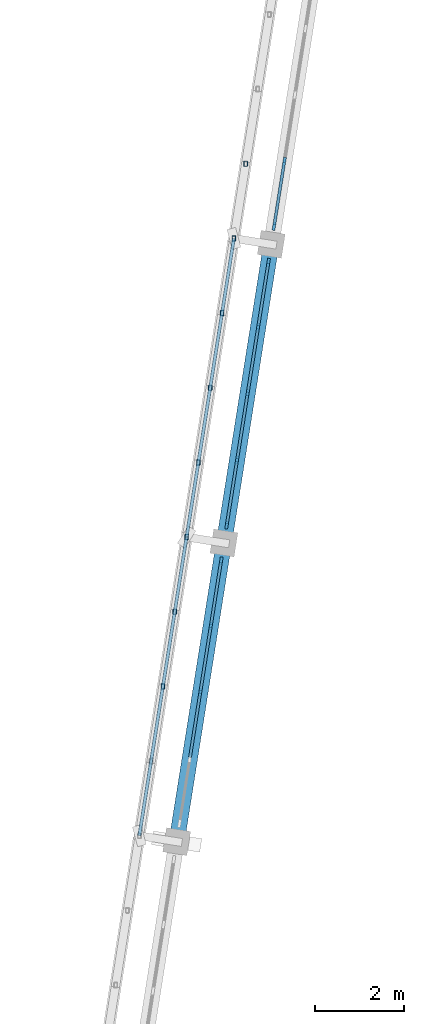
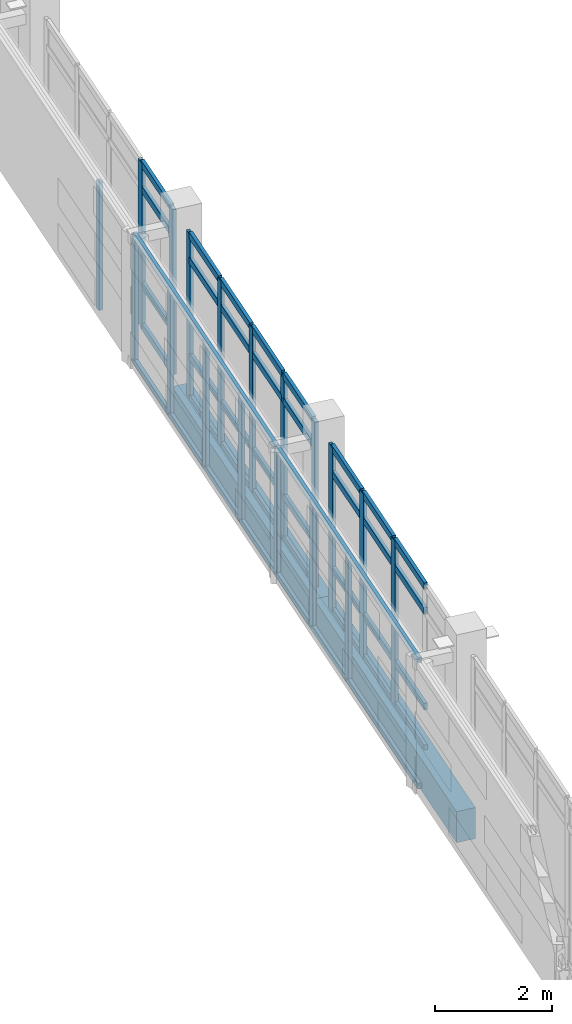
# One storey, part 36 of 117: 54 members, 2 beams, 3 elements without a shape of their own.
"""IFC4 building model written with IfcOpenShell, lengths in metres."""

import ifcopenshell
import ifcopenshell.guid

model = None  # the IFC model being written
_history = None  # IfcOwnerHistory: only IFC2X3 demands one
_inside = {}  # id of a spatial element -> (the spatial element, [elements in it])
_under = {}  # id of a project, library or spatial element -> (it, [spatial elements below it])
_declared = {}  # id of a project -> (the project, [libraries it declares])
_typed = {}  # id of a type object -> (the type object, [elements of that type])
_made_of = {}  # id of a material, layer set ... -> (it, [elements and type objects made of it])


def new_model(schema):
    """Start an empty IFC model of exactly this schema.

    Asked for "IFC4X3", IfcOpenShell would pick the latest addendum, in which some entities
    have other attributes; the version numbers below select the first issue.
    IFC2X3 requires an IfcOwnerHistory on every rooted entity: one is made here for all.
    """
    global model, _history
    if schema == "IFC4X3":
        model = ifcopenshell.file(schema_version=(4, 3, 0, 0))
    else:
        model = ifcopenshell.file(schema=schema)
    _inside.clear()
    _under.clear()
    _declared.clear()
    _typed.clear()
    _made_of.clear()
    _history = None
    if model.schema == "IFC2X3":
        org = make("IfcOrganization", Name="unknown")
        user = make(
            "IfcPersonAndOrganization",
            ThePerson=make("IfcPerson", FamilyName="unknown"),
            TheOrganization=org,
        )
        app = make(
            "IfcApplication",
            ApplicationDeveloper=org,
            Version="unknown",
            ApplicationFullName="unknown",
            ApplicationIdentifier="unknown",
        )
        _history = make(
            "IfcOwnerHistory",
            OwningUser=user,
            OwningApplication=app,
            ChangeAction="ADDED",
            CreationDate=0,
        )
    return model


def make(cls, **values):
    """One entity of the class cls with the attributes given. An attribute that is None is left unset."""
    return model.create_entity(
        cls, **{name: value for name, value in values.items() if value is not None}
    )


def rooted(cls, **values):
    """An entity with a GlobalId (a new one), such as an element, a storey or a relation."""
    return make(cls, GlobalId=ifcopenshell.guid.new(), OwnerHistory=_history, **values)


def si_unit(unit_type, name, prefix=None):
    """IfcSIUnit, for example si_unit("LENGTHUNIT", "METRE", prefix="MILLI")."""
    return make("IfcSIUnit", UnitType=unit_type, Prefix=prefix, Name=name)


def assignment(units):
    """IfcUnitAssignment: the units of a project."""
    return None if units is None else make("IfcUnitAssignment", Units=units)


def point(xyz):
    """IfcCartesianPoint."""
    return None if xyz is None else make("IfcCartesianPoint", Coordinates=xyz)


def direction(xyz):
    """IfcDirection."""
    return None if xyz is None else make("IfcDirection", DirectionRatios=xyz)


def frame(location, z_axis=None, x_axis=None):
    """IfcAxis2Placement3D, a coordinate frame: its origin and axes. An axis left out is left unset."""
    return make(
        "IfcAxis2Placement3D",
        Location=point(location),
        Axis=direction(z_axis),
        RefDirection=direction(x_axis),
    )


def frame_2d(location, x_axis=None):
    """IfcAxis2Placement2D, a coordinate frame in the plane: its origin and x axis."""
    return make(
        "IfcAxis2Placement2D", Location=point(location), RefDirection=direction(x_axis)
    )


def origin():
    """The frame at (0, 0, 0) with its axes left unset."""
    return frame((0.0, 0.0, 0.0))


def origin_2d():
    """The frame at (0, 0) in the plane with its x axis left unset."""
    return frame_2d((0.0, 0.0))


def place(relative_to, where):
    """IfcLocalPlacement: puts the frame where relative to a parent placement (None: the world)."""
    return make(
        "IfcLocalPlacement", PlacementRelTo=relative_to, RelativePlacement=where
    )


def context(
    kind, dimensions, precision=None, world=None, true_north=None, identifier=None
):
    """IfcGeometricRepresentationContext, for example the 3D "Model" context."""
    return make(
        "IfcGeometricRepresentationContext",
        ContextIdentifier=identifier,
        ContextType=kind,
        CoordinateSpaceDimension=dimensions,
        Precision=precision,
        WorldCoordinateSystem=world,
        TrueNorth=true_north,
    )


def subcontext(parent, identifier, kind, view, scale=None):
    """IfcGeometricRepresentationSubContext, for example "Body" below "Model"."""
    return make(
        "IfcGeometricRepresentationSubContext",
        ContextIdentifier=identifier,
        ContextType=kind,
        ParentContext=parent,
        TargetScale=scale,
        TargetView=view,
    )


def project(units=None, contexts=None):
    """IfcProject with its units and contexts."""
    return rooted(
        "IfcProject",
        Name="project",
        RepresentationContexts=contexts,
        UnitsInContext=assignment(units),
    )


def spatial(cls, under=None, at=None, **own):
    """A site, building, storey or space (cls), placed at a placement, below another one or the project."""
    s = rooted(cls, ObjectPlacement=at, **own)
    if under is not None:
        _under.setdefault(under.id(), (under, []))[1].append(s)
    return s


def profile(cls, at=None, kind="AREA", **sizes):
    """A parametric profile (cls). Its sizes go by their IFC names, for example OverallWidth=200.0."""
    return make(cls, ProfileType=kind, Position=at, **sizes)


def rectangle(**sizes):
    """IfcRectangleProfileDef."""
    return profile("IfcRectangleProfileDef", **sizes)


def hollow_rectangle(**sizes):
    """IfcRectangleHollowProfileDef."""
    return profile("IfcRectangleHollowProfileDef", **sizes)


def extrude(swept, where, along, depth):
    """IfcExtrudedAreaSolid: the profile swept, set in the frame where, extruded along a direction by depth."""
    return make(
        "IfcExtrudedAreaSolid",
        SweptArea=swept,
        Position=where,
        ExtrudedDirection=direction(along),
        Depth=depth,
    )


def shape(context_of_items, identifier, shape_type, items):
    """IfcShapeRepresentation: the items that make up one representation, for example the "Body"."""
    return make(
        "IfcShapeRepresentation",
        ContextOfItems=context_of_items,
        RepresentationIdentifier=identifier,
        RepresentationType=shape_type,
        Items=items,
    )


def material(Name=None, Category=None):
    """IfcMaterial."""
    return make("IfcMaterial", Name=Name, Category=Category)


def material_profile(
    of_material, cross_section, Name=None, Category=None, Priority=None
):
    """IfcMaterialProfile: a cross section and its material."""
    return make(
        "IfcMaterialProfile",
        Name=Name,
        Material=of_material,
        Profile=cross_section,
        Priority=Priority,
        Category=Category,
    )


def profile_set(profiles, Name=None, composite=None):
    """IfcMaterialProfileSet."""
    return make(
        "IfcMaterialProfileSet",
        Name=Name,
        MaterialProfiles=profiles,
        CompositeProfile=composite,
    )


def made_of(thing, what):
    """Note that an element or type object is made of a material, layer set ...; save() writes the relation."""
    if what is not None:
        _made_of.setdefault(what.id(), (what, []))[1].append(thing)
    return thing


def type_object(cls, material=None, **own):
    """A type object (cls), such as IfcWallType, which elements share."""
    return made_of(rooted(cls, **own), material)


def element(
    cls,
    number,
    at=None,
    inside=None,
    cuts=None,
    type_object=None,
    material=None,
    context=None,
    identifier="Body",
    shape_type=None,
    held_by="IfcProductDefinitionShape",
    body=None,
    shapes=None,
    **own,
):
    """One element of the class cls, such as IfcWall. Its Tag is "e" and its number.

    at: its placement. inside: the storey or other place that contains it. cuts: it is an
    opening in that element (IfcRelVoidsElement). A single representation is given by context,
    identifier, shape_type and body (its items); several are given by shapes. held_by: the class
    of the entity that holds the representations. save() writes the other relations.
    """
    e = rooted(cls, Tag="e%d" % number, ObjectPlacement=at, **own)
    if body is not None:
        shapes = [shape(context, identifier, shape_type, body)]
    if shapes is not None:
        e.Representation = make(held_by, Representations=shapes)
    if inside is not None:
        _inside.setdefault(inside.id(), (inside, []))[1].append(e)
    if cuts is not None:
        rooted(
            "IfcRelVoidsElement", RelatingBuildingElement=cuts, RelatedOpeningElement=e
        )
    if type_object is not None:
        _typed.setdefault(type_object.id(), (type_object, []))[1].append(e)
    return made_of(e, material)


def aggregate(whole, parts):
    """IfcRelAggregates: a whole, such as a stair, and the parts it consists of."""
    return rooted("IfcRelAggregates", RelatingObject=whole, RelatedObjects=parts)


def save(model, path):
    """Write the relations noted so far, then the file.

    IfcRelAggregates (storeys below a building ...), IfcRelContainedInSpatialStructure (elements
    in a storey), IfcRelDefinesByType, IfcRelAssociatesMaterial and IfcRelDeclares: one each for
    every whole, place, type object, material and project.
    """
    for whole, parts in _under.values():
        aggregate(whole, parts)
    for where, things in _inside.values():
        rooted(
            "IfcRelContainedInSpatialStructure",
            RelatedElements=things,
            RelatingStructure=where,
        )
    for kind, things in _typed.values():
        rooted("IfcRelDefinesByType", RelatedObjects=things, RelatingType=kind)
    for what, things in _made_of.values():
        rooted("IfcRelAssociatesMaterial", RelatedObjects=things, RelatingMaterial=what)
    for by, libraries in _declared.values():
        rooted("IfcRelDeclares", RelatingContext=by, RelatedDefinitions=libraries)
    model.write(path)


model = new_model("IFC4")

# Units and contexts
model_context = context("Model", 3, precision=1e-05, world=origin(), true_north=direction((0.0, 1.0)))
body_context = subcontext(model_context, "Body", "Model", "MODEL_VIEW")
ifc_project = project(units=[si_unit("LENGTHUNIT", "METRE"), si_unit("AREAUNIT", "SQUARE_METRE"), si_unit("VOLUMEUNIT", "CUBIC_METRE"), si_unit("PLANEANGLEUNIT", "RADIAN"), si_unit("MASSUNIT", "GRAM", prefix="KILO")], contexts=[model_context])

# Site, building, storey
site_placement = place(None, origin())
site = spatial("IfcSite", under=ifc_project, at=site_placement, CompositionType="ELEMENT")
building_placement = place(site_placement, origin())
building = spatial("IfcBuilding", under=site, at=building_placement, Name="Cinderway Yard Community Centre", CompositionType="ELEMENT")
storey_placement = place(building_placement, frame((0.0, 0.0, 9.0)))
storey = spatial("IfcBuildingStorey", under=building, at=storey_placement, Name="L02", CompositionType="ELEMENT", Elevation=9.0)

# Curtain wall, members
ifc_material_1 = material(Name="Aluminium 6063-T6", Category="aluminium")
curtain_wall_type = type_object("IfcCurtainWallType", Name="ENV-CW-TYPE-17", PredefinedType="USERDEFINED", material=ifc_material_1)
curtain_wall_1_placement = place(storey_placement, origin())
curtain_wall_1 = element("IfcCurtainWall", 1, at=curtain_wall_1_placement, inside=storey, type_object=curtain_wall_type, Name="Sports Hall Courtyard Curtain Wall ENV-CW-L02-HS-0062", ObjectType="GLAZED CURTAIN WALL", PredefinedType="USERDEFINED")
ifc_material_profile_1 = material_profile(ifc_material_1, rectangle(XDim=0.06494140625, YDim=0.179931640625, at=origin_2d()), Name="Aluminium 6063-T6")
ifc_profile_set_1 = profile_set([ifc_material_profile_1], Name="Aluminium 6063-T6")
member_type_1 = type_object("IfcMemberType", Name="ENV-CW-MULL-180", PredefinedType="MULLION", material=ifc_profile_set_1)
member_1_placement = place(storey_placement, frame((120.659423828125, 54.791015625, 0.0), z_axis=(0.0, 0.0, 1.0), x_axis=(-0.987686334358, 0.1564471314, 0.0)))
member_1 = element("IfcMember", 2, at=member_1_placement, type_object=member_type_1, Name="CW-17 mullion 3", PredefinedType="MULLION", context=body_context, shape_type="SweptSolid", body=[
    extrude(rectangle(XDim=0.06494140625, YDim=0.179931640625, at=origin_2d()), origin(), (0.0, 0.0, 1.0), 3.449951171875),
])
member_2_placement = place(storey_placement, frame((120.895751953125, 56.282470703125, 0.0), z_axis=(0.0, 0.0, 1.0), x_axis=(-0.987686334358, 0.1564471314, 0.0)))
member_2 = element("IfcMember", 3, at=member_2_placement, type_object=member_type_1, Name="CW-17 mullion 4", PredefinedType="MULLION", context=body_context, shape_type="SweptSolid", body=[
    extrude(rectangle(XDim=0.06494140625, YDim=0.179931640625, at=origin_2d()), origin(), (0.0, 0.0, 1.0), 3.449951171875),
])
member_3_placement = place(storey_placement, frame((121.127197265625, 57.744384765625, 0.0), z_axis=(0.0, 0.0, 1.0), x_axis=(-0.987686334358, 0.1564471314, 0.0)))
member_3 = element("IfcMember", 4, at=member_3_placement, type_object=member_type_1, Name="CW-17 mullion 5", PredefinedType="MULLION", context=body_context, shape_type="SweptSolid", body=[
    extrude(rectangle(XDim=0.06494140625, YDim=0.179931640625, at=origin_2d()), origin(), (0.0, 0.0, 1.0), 3.449951171875),
])

curtain_wall_2_placement = place(storey_placement, origin())
curtain_wall_2 = element("IfcCurtainWall", 5, at=curtain_wall_2_placement, inside=storey, type_object=curtain_wall_type, Name="Sports Hall Courtyard Curtain Wall ENV-CW-L02-HS-0063", ObjectType="GLAZED CURTAIN WALL", PredefinedType="USERDEFINED")
member_4_placement = place(storey_placement, frame((121.254638671875, 58.5537109375, 0.0), z_axis=(0.0, 0.0, 1.0), x_axis=(-0.987660740525, 0.156608625643, 0.0)))
member_4 = element("IfcMember", 6, at=member_4_placement, type_object=member_type_1, Name="CW-17 mullion 1", PredefinedType="MULLION", context=body_context, shape_type="SweptSolid", body=[
    extrude(rectangle(XDim=0.06494140625, YDim=0.179931640625, at=origin_2d()), origin(), (0.0, 0.0, 1.0), 3.449951171875),
])
member_5_placement = place(storey_placement, frame((121.486572265625, 60.015380859375, 0.0), z_axis=(0.0, 0.0, 1.0), x_axis=(-0.987660740525, 0.156608625643, 0.0)))
member_5 = element("IfcMember", 7, at=member_5_placement, type_object=member_type_1, Name="CW-17 mullion 2", PredefinedType="MULLION", context=body_context, shape_type="SweptSolid", body=[
    extrude(rectangle(XDim=0.06494140625, YDim=0.179931640625, at=origin_2d()), origin(), (0.0, 0.0, 1.0), 3.449951171875),
])
member_6_placement = place(storey_placement, frame((121.722900390625, 61.507080078125, 0.0), z_axis=(0.0, 0.0, 1.0), x_axis=(-0.987660740525, 0.156608625643, 0.0)))
member_6 = element("IfcMember", 8, at=member_6_placement, type_object=member_type_1, Name="CW-17 mullion 3", PredefinedType="MULLION", context=body_context, shape_type="SweptSolid", body=[
    extrude(rectangle(XDim=0.06494140625, YDim=0.179931640625, at=origin_2d()), origin(), (0.0, 0.0, 1.0), 3.449951171875),
])
member_7_placement = place(storey_placement, frame((121.95947265625, 62.99853515625, 0.0), z_axis=(0.0, 0.0, 1.0), x_axis=(-0.987660740525, 0.156608625643, 0.0)))
member_7 = element("IfcMember", 9, at=member_7_placement, type_object=member_type_1, Name="CW-17 mullion 4", PredefinedType="MULLION", context=body_context, shape_type="SweptSolid", body=[
    extrude(rectangle(XDim=0.06494140625, YDim=0.179931640625, at=origin_2d()), origin(), (0.0, 0.0, 1.0), 3.449951171875),
])
member_8_placement = place(storey_placement, frame((122.19140625, 64.46044921875, 0.0), z_axis=(0.0, 0.0, 1.0), x_axis=(-0.987660740525, 0.156608625643, 0.0)))
member_8 = element("IfcMember", 10, at=member_8_placement, type_object=member_type_1, Name="CW-17 mullion 5", PredefinedType="MULLION", context=body_context, shape_type="SweptSolid", body=[
    extrude(rectangle(XDim=0.06494140625, YDim=0.179931640625, at=origin_2d()), origin(), (0.0, 0.0, 1.0), 3.449951171875),
])

curtain_wall_3_placement = place(storey_placement, origin())
curtain_wall_3 = element("IfcCurtainWall", 11, at=curtain_wall_3_placement, inside=storey, type_object=curtain_wall_type, Name="Sports Hall Courtyard Curtain Wall ENV-CW-L02-HS-0064", ObjectType="GLAZED CURTAIN WALL", PredefinedType="USERDEFINED")
member_9_placement = place(storey_placement, frame((122.318603515625, 65.26953125, 0.0), z_axis=(0.0, 0.0, 1.0), x_axis=(-0.987660740525, 0.156608625643, 0.0)))
member_9 = element("IfcMember", 12, at=member_9_placement, type_object=member_type_1, Name="CW-17 mullion 1", PredefinedType="MULLION", context=body_context, shape_type="SweptSolid", body=[
    extrude(rectangle(XDim=0.06494140625, YDim=0.179931640625, at=origin_2d()), origin(), (0.0, 0.0, 1.0), 3.449951171875),
])
member_10_placement = place(storey_placement, frame((122.550537109375, 66.7314453125, 0.0), z_axis=(0.0, 0.0, 1.0), x_axis=(-0.987660740525, 0.156608625643, 0.0)))
member_10 = element("IfcMember", 13, at=member_10_placement, type_object=member_type_1, Name="CW-17 mullion 2", PredefinedType="MULLION", context=body_context, shape_type="SweptSolid", body=[
    extrude(rectangle(XDim=0.06494140625, YDim=0.179931640625, at=origin_2d()), origin(), (0.0, 0.0, 1.0), 3.449951171875),
])

# Member
ifc_material_profile_2 = material_profile(ifc_material_1, rectangle(XDim=0.06494140625, YDim=0.139892578125, at=origin_2d()), Name="Aluminium 6063-T6")
ifc_profile_set_2 = profile_set([ifc_material_profile_2], Name="Aluminium 6063-T6")
member_type_2 = type_object("IfcMemberType", Name="ENV-CW-TRAN-140", PredefinedType="USERDEFINED", material=ifc_profile_set_2)
member_11_placement = place(storey_placement, frame((120.427978515625, 53.3291015625, 0.030029296875), z_axis=(0.156394802051, 0.987694621779, 0.0), x_axis=(-0.987694621779, 0.156394802051, 0.0)))
member_11 = element("IfcMember", 14, at=member_11_placement, type_object=member_type_2, Name="CW-17 transom 2.1", ObjectType="TRANSOM", PredefinedType="USERDEFINED", context=body_context, shape_type="SweptSolid", body=[
    extrude(rectangle(XDim=0.06494140625, YDim=0.139892578125, at=origin_2d()), origin(), (0.0, 0.0, 1.0), 1.4501953125),
])

member_12_placement = place(storey_placement, frame((120.427978515625, 53.3291015625, 0.89990234375), z_axis=(0.156394802051, 0.987694621779, 0.0), x_axis=(-0.987694621779, 0.156394802051, 0.0)))
member_12 = element("IfcMember", 15, at=member_12_placement, type_object=member_type_2, Name="CW-17 transom 2.2", ObjectType="TRANSOM", PredefinedType="USERDEFINED", context=body_context, shape_type="SweptSolid", body=[
    extrude(rectangle(XDim=0.06494140625, YDim=0.139892578125, at=origin_2d()), origin(), (0.0, 0.0, 1.0), 1.4501953125),
])

member_13_placement = place(storey_placement, frame((120.427978515625, 53.3291015625, 2.89990234375), z_axis=(0.156394802051, 0.987694621779, 0.0), x_axis=(-0.987694621779, 0.156394802051, 0.0)))
member_13 = element("IfcMember", 16, at=member_13_placement, type_object=member_type_2, Name="CW-17 transom 2.3", ObjectType="TRANSOM", PredefinedType="USERDEFINED", context=body_context, shape_type="SweptSolid", body=[
    extrude(rectangle(XDim=0.06494140625, YDim=0.139892578125, at=origin_2d()), origin(), (0.0, 0.0, 1.0), 1.4501953125),
])

member_14_placement = place(storey_placement, frame((120.427978515625, 53.3291015625, 3.419921875), z_axis=(0.156394802051, 0.987694621779, 0.0), x_axis=(-0.987694621779, 0.156394802051, 0.0)))
member_14 = element("IfcMember", 17, at=member_14_placement, type_object=member_type_2, Name="CW-17 transom 2.4", ObjectType="TRANSOM", PredefinedType="USERDEFINED", context=body_context, shape_type="SweptSolid", body=[
    extrude(rectangle(XDim=0.06494140625, YDim=0.139892578125, at=origin_2d()), origin(), (0.0, 0.0, 1.0), 1.4501953125),
])

member_15_placement = place(storey_placement, frame((120.664306640625, 54.820556640625, 0.030029296875), z_axis=(0.156394802051, 0.987694621779, 0.0), x_axis=(-0.987694621779, 0.156394802051, 0.0)))
member_15 = element("IfcMember", 18, at=member_15_placement, type_object=member_type_2, Name="CW-17 transom 3.1", ObjectType="TRANSOM", PredefinedType="USERDEFINED", context=body_context, shape_type="SweptSolid", body=[
    extrude(rectangle(XDim=0.06494140625, YDim=0.139892578125, at=origin_2d()), origin(), (0.0, 0.0, 1.0), 1.4501953125),
])

member_16_placement = place(storey_placement, frame((120.664306640625, 54.820556640625, 0.89990234375), z_axis=(0.156394802051, 0.987694621779, 0.0), x_axis=(-0.987694621779, 0.156394802051, 0.0)))
member_16 = element("IfcMember", 19, at=member_16_placement, type_object=member_type_2, Name="CW-17 transom 3.2", ObjectType="TRANSOM", PredefinedType="USERDEFINED", context=body_context, shape_type="SweptSolid", body=[
    extrude(rectangle(XDim=0.06494140625, YDim=0.139892578125, at=origin_2d()), origin(), (0.0, 0.0, 1.0), 1.4501953125),
])

member_17_placement = place(storey_placement, frame((120.664306640625, 54.820556640625, 2.89990234375), z_axis=(0.156394802051, 0.987694621779, 0.0), x_axis=(-0.987694621779, 0.156394802051, 0.0)))
member_17 = element("IfcMember", 20, at=member_17_placement, type_object=member_type_2, Name="CW-17 transom 3.3", ObjectType="TRANSOM", PredefinedType="USERDEFINED", context=body_context, shape_type="SweptSolid", body=[
    extrude(rectangle(XDim=0.06494140625, YDim=0.139892578125, at=origin_2d()), origin(), (0.0, 0.0, 1.0), 1.4501953125),
])

member_18_placement = place(storey_placement, frame((120.664306640625, 54.820556640625, 3.419921875), z_axis=(0.156394802051, 0.987694621779, 0.0), x_axis=(-0.987694621779, 0.156394802051, 0.0)))
member_18 = element("IfcMember", 21, at=member_18_placement, type_object=member_type_2, Name="CW-17 transom 3.4", ObjectType="TRANSOM", PredefinedType="USERDEFINED", context=body_context, shape_type="SweptSolid", body=[
    extrude(rectangle(XDim=0.06494140625, YDim=0.139892578125, at=origin_2d()), origin(), (0.0, 0.0, 1.0), 1.4501953125),
])

member_19_placement = place(storey_placement, frame((120.900390625, 56.31201171875, 0.030029296875), z_axis=(0.156421554245, 0.987690385378, 0.0), x_axis=(-0.987690385378, 0.156421554245, 0.0)))
member_19 = element("IfcMember", 22, at=member_19_placement, type_object=member_type_2, Name="CW-17 transom 4.1", ObjectType="TRANSOM", PredefinedType="USERDEFINED", context=body_context, shape_type="SweptSolid", body=[
    extrude(rectangle(XDim=0.06494140625, YDim=0.139892578125, at=origin_2d()), origin(), (0.0, 0.0, 1.0), 1.42041015625),
])

member_20_placement = place(storey_placement, frame((120.900390625, 56.31201171875, 0.89990234375), z_axis=(0.156421554245, 0.987690385378, 0.0), x_axis=(-0.987690385378, 0.156421554245, 0.0)))
member_20 = element("IfcMember", 23, at=member_20_placement, type_object=member_type_2, Name="CW-17 transom 4.2", ObjectType="TRANSOM", PredefinedType="USERDEFINED", context=body_context, shape_type="SweptSolid", body=[
    extrude(rectangle(XDim=0.06494140625, YDim=0.139892578125, at=origin_2d()), origin(), (0.0, 0.0, 1.0), 1.42041015625),
])

member_21_placement = place(storey_placement, frame((120.900390625, 56.31201171875, 2.89990234375), z_axis=(0.156421554245, 0.987690385378, 0.0), x_axis=(-0.987690385378, 0.156421554245, 0.0)))
member_21 = element("IfcMember", 24, at=member_21_placement, type_object=member_type_2, Name="CW-17 transom 4.3", ObjectType="TRANSOM", PredefinedType="USERDEFINED", context=body_context, shape_type="SweptSolid", body=[
    extrude(rectangle(XDim=0.06494140625, YDim=0.139892578125, at=origin_2d()), origin(), (0.0, 0.0, 1.0), 1.42041015625),
])

member_22_placement = place(storey_placement, frame((120.900390625, 56.31201171875, 3.419921875), z_axis=(0.156421554245, 0.987690385378, 0.0), x_axis=(-0.987690385378, 0.156421554245, 0.0)))
member_22 = element("IfcMember", 25, at=member_22_placement, type_object=member_type_2, Name="CW-17 transom 4.4", ObjectType="TRANSOM", PredefinedType="USERDEFINED", context=body_context, shape_type="SweptSolid", body=[
    extrude(rectangle(XDim=0.06494140625, YDim=0.139892578125, at=origin_2d()), origin(), (0.0, 0.0, 1.0), 1.42041015625),
])

aggregate(curtain_wall_1, [member_1, member_2, member_3, member_11, member_12, member_13, member_14, member_15, member_16, member_17, member_18, member_19, member_20, member_21, member_22])

member_23_placement = place(storey_placement, frame((121.25927734375, 58.583251953125, 0.030029296875), z_axis=(0.156615821604, 0.987659599469, 0.0), x_axis=(-0.987659599469, 0.156615821604, 0.0)))
member_23 = element("IfcMember", 26, at=member_23_placement, type_object=member_type_2, Name="CW-17 transom 1.1", ObjectType="TRANSOM", PredefinedType="USERDEFINED", context=body_context, shape_type="SweptSolid", body=[
    extrude(rectangle(XDim=0.06494140625, YDim=0.139892578125, at=origin_2d()), origin(), (0.0, 0.0, 1.0), 1.420166015625),
])

member_24_placement = place(storey_placement, frame((121.25927734375, 58.583251953125, 0.89990234375), z_axis=(0.156615821604, 0.987659599469, 0.0), x_axis=(-0.987659599469, 0.156615821604, 0.0)))
member_24 = element("IfcMember", 27, at=member_24_placement, type_object=member_type_2, Name="CW-17 transom 1.2", ObjectType="TRANSOM", PredefinedType="USERDEFINED", context=body_context, shape_type="SweptSolid", body=[
    extrude(rectangle(XDim=0.06494140625, YDim=0.139892578125, at=origin_2d()), origin(), (0.0, 0.0, 1.0), 1.420166015625),
])

member_25_placement = place(storey_placement, frame((121.25927734375, 58.583251953125, 2.89990234375), z_axis=(0.156615821604, 0.987659599469, 0.0), x_axis=(-0.987659599469, 0.156615821604, 0.0)))
member_25 = element("IfcMember", 28, at=member_25_placement, type_object=member_type_2, Name="CW-17 transom 1.3", ObjectType="TRANSOM", PredefinedType="USERDEFINED", context=body_context, shape_type="SweptSolid", body=[
    extrude(rectangle(XDim=0.06494140625, YDim=0.139892578125, at=origin_2d()), origin(), (0.0, 0.0, 1.0), 1.420166015625),
])

member_26_placement = place(storey_placement, frame((121.25927734375, 58.583251953125, 3.419921875), z_axis=(0.156615821604, 0.987659599469, 0.0), x_axis=(-0.987659599469, 0.156615821604, 0.0)))
member_26 = element("IfcMember", 29, at=member_26_placement, type_object=member_type_2, Name="CW-17 transom 1.4", ObjectType="TRANSOM", PredefinedType="USERDEFINED", context=body_context, shape_type="SweptSolid", body=[
    extrude(rectangle(XDim=0.06494140625, YDim=0.139892578125, at=origin_2d()), origin(), (0.0, 0.0, 1.0), 1.420166015625),
])

member_27_placement = place(storey_placement, frame((121.4912109375, 60.045166015625, 0.030029296875), z_axis=(0.156585060263, 0.987664476886, 0.0), x_axis=(-0.987664476886, 0.156585060263, 0.0)))
member_27 = element("IfcMember", 30, at=member_27_placement, type_object=member_type_2, Name="CW-17 transom 2.1", ObjectType="TRANSOM", PredefinedType="USERDEFINED", context=body_context, shape_type="SweptSolid", body=[
    extrude(rectangle(XDim=0.06494140625, YDim=0.139892578125, at=origin_2d()), origin(), (0.0, 0.0, 1.0), 1.449951171875),
])

member_28_placement = place(storey_placement, frame((121.4912109375, 60.045166015625, 0.89990234375), z_axis=(0.156585060263, 0.987664476886, 0.0), x_axis=(-0.987664476886, 0.156585060263, 0.0)))
member_28 = element("IfcMember", 31, at=member_28_placement, type_object=member_type_2, Name="CW-17 transom 2.2", ObjectType="TRANSOM", PredefinedType="USERDEFINED", context=body_context, shape_type="SweptSolid", body=[
    extrude(rectangle(XDim=0.06494140625, YDim=0.139892578125, at=origin_2d()), origin(), (0.0, 0.0, 1.0), 1.449951171875),
])

member_29_placement = place(storey_placement, frame((121.4912109375, 60.045166015625, 2.89990234375), z_axis=(0.156585060263, 0.987664476886, 0.0), x_axis=(-0.987664476886, 0.156585060263, 0.0)))
member_29 = element("IfcMember", 32, at=member_29_placement, type_object=member_type_2, Name="CW-17 transom 2.3", ObjectType="TRANSOM", PredefinedType="USERDEFINED", context=body_context, shape_type="SweptSolid", body=[
    extrude(rectangle(XDim=0.06494140625, YDim=0.139892578125, at=origin_2d()), origin(), (0.0, 0.0, 1.0), 1.449951171875),
])

member_30_placement = place(storey_placement, frame((121.4912109375, 60.045166015625, 3.419921875), z_axis=(0.156585060263, 0.987664476886, 0.0), x_axis=(-0.987664476886, 0.156585060263, 0.0)))
member_30 = element("IfcMember", 33, at=member_30_placement, type_object=member_type_2, Name="CW-17 transom 2.4", ObjectType="TRANSOM", PredefinedType="USERDEFINED", context=body_context, shape_type="SweptSolid", body=[
    extrude(rectangle(XDim=0.06494140625, YDim=0.139892578125, at=origin_2d()), origin(), (0.0, 0.0, 1.0), 1.449951171875),
])

member_31_placement = place(storey_placement, frame((121.727783203125, 61.53662109375, 0.030029296875), z_axis=(0.156585060263, 0.987664476886, 0.0), x_axis=(-0.987664476886, 0.156585060263, 0.0)))
member_31 = element("IfcMember", 34, at=member_31_placement, type_object=member_type_2, Name="CW-17 transom 3.1", ObjectType="TRANSOM", PredefinedType="USERDEFINED", context=body_context, shape_type="SweptSolid", body=[
    extrude(rectangle(XDim=0.06494140625, YDim=0.139892578125, at=origin_2d()), origin(), (0.0, 0.0, 1.0), 1.449951171875),
])

member_32_placement = place(storey_placement, frame((121.727783203125, 61.53662109375, 0.89990234375), z_axis=(0.156585060263, 0.987664476886, 0.0), x_axis=(-0.987664476886, 0.156585060263, 0.0)))
member_32 = element("IfcMember", 35, at=member_32_placement, type_object=member_type_2, Name="CW-17 transom 3.2", ObjectType="TRANSOM", PredefinedType="USERDEFINED", context=body_context, shape_type="SweptSolid", body=[
    extrude(rectangle(XDim=0.06494140625, YDim=0.139892578125, at=origin_2d()), origin(), (0.0, 0.0, 1.0), 1.449951171875),
])

member_33_placement = place(storey_placement, frame((121.727783203125, 61.53662109375, 2.89990234375), z_axis=(0.156585060263, 0.987664476886, 0.0), x_axis=(-0.987664476886, 0.156585060263, 0.0)))
member_33 = element("IfcMember", 36, at=member_33_placement, type_object=member_type_2, Name="CW-17 transom 3.3", ObjectType="TRANSOM", PredefinedType="USERDEFINED", context=body_context, shape_type="SweptSolid", body=[
    extrude(rectangle(XDim=0.06494140625, YDim=0.139892578125, at=origin_2d()), origin(), (0.0, 0.0, 1.0), 1.449951171875),
])

member_34_placement = place(storey_placement, frame((121.727783203125, 61.53662109375, 3.419921875), z_axis=(0.156585060263, 0.987664476886, 0.0), x_axis=(-0.987664476886, 0.156585060263, 0.0)))
member_34 = element("IfcMember", 37, at=member_34_placement, type_object=member_type_2, Name="CW-17 transom 3.4", ObjectType="TRANSOM", PredefinedType="USERDEFINED", context=body_context, shape_type="SweptSolid", body=[
    extrude(rectangle(XDim=0.06494140625, YDim=0.139892578125, at=origin_2d()), origin(), (0.0, 0.0, 1.0), 1.449951171875),
])

member_35_placement = place(storey_placement, frame((121.964111328125, 63.028076171875, 0.030029296875), z_axis=(0.156615821604, 0.987659599469, 0.0), x_axis=(-0.987659599469, 0.156615821604, 0.0)))
member_35 = element("IfcMember", 38, at=member_35_placement, type_object=member_type_2, Name="CW-17 transom 4.1", ObjectType="TRANSOM", PredefinedType="USERDEFINED", context=body_context, shape_type="SweptSolid", body=[
    extrude(rectangle(XDim=0.06494140625, YDim=0.139892578125, at=origin_2d()), origin(), (0.0, 0.0, 1.0), 1.420166015625),
])

member_36_placement = place(storey_placement, frame((121.964111328125, 63.028076171875, 0.89990234375), z_axis=(0.156615821604, 0.987659599469, 0.0), x_axis=(-0.987659599469, 0.156615821604, 0.0)))
member_36 = element("IfcMember", 39, at=member_36_placement, type_object=member_type_2, Name="CW-17 transom 4.2", ObjectType="TRANSOM", PredefinedType="USERDEFINED", context=body_context, shape_type="SweptSolid", body=[
    extrude(rectangle(XDim=0.06494140625, YDim=0.139892578125, at=origin_2d()), origin(), (0.0, 0.0, 1.0), 1.420166015625),
])

member_37_placement = place(storey_placement, frame((121.964111328125, 63.028076171875, 2.89990234375), z_axis=(0.156615821604, 0.987659599469, 0.0), x_axis=(-0.987659599469, 0.156615821604, 0.0)))
member_37 = element("IfcMember", 40, at=member_37_placement, type_object=member_type_2, Name="CW-17 transom 4.3", ObjectType="TRANSOM", PredefinedType="USERDEFINED", context=body_context, shape_type="SweptSolid", body=[
    extrude(rectangle(XDim=0.06494140625, YDim=0.139892578125, at=origin_2d()), origin(), (0.0, 0.0, 1.0), 1.420166015625),
])

member_38_placement = place(storey_placement, frame((121.964111328125, 63.028076171875, 3.419921875), z_axis=(0.156615821604, 0.987659599469, 0.0), x_axis=(-0.987659599469, 0.156615821604, 0.0)))
member_38 = element("IfcMember", 41, at=member_38_placement, type_object=member_type_2, Name="CW-17 transom 4.4", ObjectType="TRANSOM", PredefinedType="USERDEFINED", context=body_context, shape_type="SweptSolid", body=[
    extrude(rectangle(XDim=0.06494140625, YDim=0.139892578125, at=origin_2d()), origin(), (0.0, 0.0, 1.0), 1.420166015625),
])

aggregate(curtain_wall_2, [member_4, member_5, member_6, member_7, member_8, member_23, member_24, member_25, member_26, member_27, member_28, member_29, member_30, member_31, member_32, member_33, member_34, member_35, member_36, member_37, member_38])

member_39_placement = place(storey_placement, frame((122.323486328125, 65.29931640625, 0.030029296875), z_axis=(0.156615821604, 0.987659599469, 0.0), x_axis=(-0.987659599469, 0.156615821604, 0.0)))
member_39 = element("IfcMember", 42, at=member_39_placement, type_object=member_type_2, Name="CW-17 transom 1.1", ObjectType="TRANSOM", PredefinedType="USERDEFINED", context=body_context, shape_type="SweptSolid", body=[
    extrude(rectangle(XDim=0.06494140625, YDim=0.139892578125, at=origin_2d()), origin(), (0.0, 0.0, 1.0), 1.420166015625),
])

member_40_placement = place(storey_placement, frame((122.323486328125, 65.29931640625, 0.89990234375), z_axis=(0.156615821604, 0.987659599469, 0.0), x_axis=(-0.987659599469, 0.156615821604, 0.0)))
member_40 = element("IfcMember", 43, at=member_40_placement, type_object=member_type_2, Name="CW-17 transom 1.2", ObjectType="TRANSOM", PredefinedType="USERDEFINED", context=body_context, shape_type="SweptSolid", body=[
    extrude(rectangle(XDim=0.06494140625, YDim=0.139892578125, at=origin_2d()), origin(), (0.0, 0.0, 1.0), 1.420166015625),
])

member_41_placement = place(storey_placement, frame((122.323486328125, 65.29931640625, 2.89990234375), z_axis=(0.156615821604, 0.987659599469, 0.0), x_axis=(-0.987659599469, 0.156615821604, 0.0)))
member_41 = element("IfcMember", 44, at=member_41_placement, type_object=member_type_2, Name="CW-17 transom 1.3", ObjectType="TRANSOM", PredefinedType="USERDEFINED", context=body_context, shape_type="SweptSolid", body=[
    extrude(rectangle(XDim=0.06494140625, YDim=0.139892578125, at=origin_2d()), origin(), (0.0, 0.0, 1.0), 1.420166015625),
])

member_42_placement = place(storey_placement, frame((122.323486328125, 65.29931640625, 3.419921875), z_axis=(0.156615821604, 0.987659599469, 0.0), x_axis=(-0.987659599469, 0.156615821604, 0.0)))
member_42 = element("IfcMember", 45, at=member_42_placement, type_object=member_type_2, Name="CW-17 transom 1.4", ObjectType="TRANSOM", PredefinedType="USERDEFINED", context=body_context, shape_type="SweptSolid", body=[
    extrude(rectangle(XDim=0.06494140625, YDim=0.139892578125, at=origin_2d()), origin(), (0.0, 0.0, 1.0), 1.420166015625),
])

aggregate(curtain_wall_3, [member_9, member_10, member_39, member_40, member_41, member_42])

# Members
ifc_material_2 = material(Name="Steel S355", Category="steel")
ifc_material_profile_3 = material_profile(ifc_material_2, hollow_rectangle(XDim=0.080078125, YDim=0.1201171875, WallThickness=0.00634765625, InnerFilletRadius=0.00634765625, OuterFilletRadius=0.0126953125, at=origin_2d()), Name="Steel S355")
ifc_profile_set_3 = profile_set([ifc_material_profile_3], Name="Steel S355")
member_type_3 = type_object("IfcMemberType", Name="ENV-MEM-SCREEN-RAIL-120", PredefinedType="STRINGER", material=ifc_profile_set_3)
for number, where, z_axis, x_axis, name in (
    (46, (119.2880859375, 51.56591796875, 0.7099609375), (0.156329470887, 0.987704964315, 0.0), (-0.987704964315, 0.156329470887, 0.0), "Screen support rail 1055-BOT"),
    (47, (119.2880859375, 51.56591796875, 3.340087890625), (0.156329470887, 0.987704964315, 0.0), (-0.987704964315, 0.156329470887, 0.0), "Screen support rail 1056-TOP"),
):
    element("IfcMember", number, at=place(storey_placement, frame(where, z_axis=z_axis, x_axis=x_axis)), inside=storey, type_object=member_type_3, Name=name, PredefinedType="STRINGER", context=body_context, shape_type="SweptSolid", body=[
        extrude(hollow_rectangle(XDim=0.080078125, YDim=0.1201171875, WallThickness=0.00634765625, InnerFilletRadius=0.00634765625, OuterFilletRadius=0.0126953125, at=origin_2d()), origin(), (0.0, 0.0, 1.0), 6.799560546875),
    ])
for number, where, z_axis, x_axis, name in (
    (48, (119.820068359375, 54.924072265625, 0.68994140625), (0.0, 0.0, 1.0), (1.0, 0.0, 0.0), "Screen vertical mullion 1058"),
    (49, (120.0849609375, 56.60302734375, 0.68994140625), (0.0, 0.0, 1.0), (1.0, 0.0, 0.0), "Screen vertical mullion 1059"),
    (50, (120.35107421875, 58.281982421875, 0.68994140625), (0.0, 0.0, 1.0), (1.0, 0.0, 0.0), "Screen vertical mullion 1060"),
):
    element("IfcMember", number, at=place(storey_placement, frame(where, z_axis=z_axis, x_axis=x_axis)), inside=storey, type_object=member_type_3, Name=name, PredefinedType="STRINGER", context=body_context, shape_type="SweptSolid", body=[
        extrude(hollow_rectangle(XDim=0.080078125, YDim=0.1201171875, WallThickness=0.00634765625, InnerFilletRadius=0.00634765625, OuterFilletRadius=0.0126953125, at=origin_2d()), origin(), (0.0, 0.0, 1.0), 2.670166015625),
    ])
for number, where, z_axis, x_axis, name in (
    (51, (120.35107421875, 58.281982421875, 0.7099609375), (0.156469575446, 0.987682779013, 0.0), (-0.987682779013, 0.156469575446, 0.0), "Screen support rail 1062-BOT"),
    (52, (120.35107421875, 58.281982421875, 3.340087890625), (0.156469575446, 0.987682779013, 0.0), (-0.987682779013, 0.156469575446, 0.0), "Screen support rail 1063-TOP"),
):
    element("IfcMember", number, at=place(storey_placement, frame(where, z_axis=z_axis, x_axis=x_axis)), inside=storey, type_object=member_type_3, Name=name, PredefinedType="STRINGER", context=body_context, shape_type="SweptSolid", body=[
        extrude(hollow_rectangle(XDim=0.080078125, YDim=0.1201171875, WallThickness=0.00634765625, InnerFilletRadius=0.00634765625, OuterFilletRadius=0.0126953125, at=origin_2d()), origin(), (0.0, 0.0, 1.0), 6.7998046875),
    ])
for number, where, z_axis, x_axis, name in (
    (53, (120.616943359375, 59.9609375, 0.68994140625), (0.0, 0.0, 1.0), (1.0, 0.0, 0.0), "Screen vertical mullion 1064"),
    (54, (120.883056640625, 61.639892578125, 0.68994140625), (0.0, 0.0, 1.0), (1.0, 0.0, 0.0), "Screen vertical mullion 1065"),
    (55, (121.14892578125, 63.319091796875, 0.68994140625), (0.0, 0.0, 1.0), (1.0, 0.0, 0.0), "Screen vertical mullion 1066"),
    (56, (121.4150390625, 64.998046875, 0.68994140625), (0.0, 0.0, 1.0), (1.0, 0.0, 0.0), "Screen vertical mullion 1067"),
    (57, (121.680908203125, 66.677001953125, 0.68994140625), (0.0, 0.0, 1.0), (1.0, 0.0, 0.0), "Screen vertical mullion 1071"),
):
    element("IfcMember", number, at=place(storey_placement, frame(where, z_axis=z_axis, x_axis=x_axis)), inside=storey, type_object=member_type_3, Name=name, PredefinedType="STRINGER", context=body_context, shape_type="SweptSolid", body=[
        extrude(hollow_rectangle(XDim=0.080078125, YDim=0.1201171875, WallThickness=0.00634765625, InnerFilletRadius=0.00634765625, OuterFilletRadius=0.0126953125, at=origin_2d()), origin(), (0.0, 0.0, 1.0), 2.670166015625),
    ])

# Beams
ifc_material_3 = material(Name="Concrete C35/45", Category="concrete")
ifc_material_profile_4 = material_profile(ifc_material_3, rectangle(XDim=0.35009765625, YDim=0.64990234375, at=origin_2d()), Name="Concrete C35/45")
ifc_profile_set_4 = profile_set([ifc_material_profile_4], Name="Concrete C35/45")
beam_type = type_object("IfcBeamType", Name="STR-BM-RC350X650", PredefinedType="BEAM", material=ifc_profile_set_4)
beam_1_placement = place(storey_placement, frame((120.1279296875, 51.43310546875, -0.324951171875), z_axis=(0.156335015047, 0.987704086794, 0.0), x_axis=(-0.987704086794, 0.156335015047, 0.0)))
element("IfcBeam", 58, at=beam_1_placement, inside=storey, type_object=beam_type, Name="Sports Hall west ring beam STR-BM-L02-BG08-0424", PredefinedType="BEAM", context=body_context, shape_type="SweptSolid", body=[
    extrude(rectangle(XDim=0.35009765625, YDim=0.64990234375, at=origin_2d()), origin(), (0.0, 0.0, 1.0), 6.79931640625),
])
beam_2_placement = place(storey_placement, frame((121.19091796875, 58.14892578125, -0.324951171875), z_axis=(0.156469575446, 0.987682779013, 0.0), x_axis=(-0.987682779013, 0.156469575446, 0.0)))
element("IfcBeam", 59, at=beam_2_placement, inside=storey, type_object=beam_type, Name="Sports Hall west ring beam STR-BM-L02-BG08-0425", PredefinedType="BEAM", context=body_context, shape_type="SweptSolid", body=[
    extrude(rectangle(XDim=0.35009765625, YDim=0.64990234375, at=origin_2d()), origin(), (0.0, 0.0, 1.0), 6.7998046875),
])

save(model, "model.ifc")
